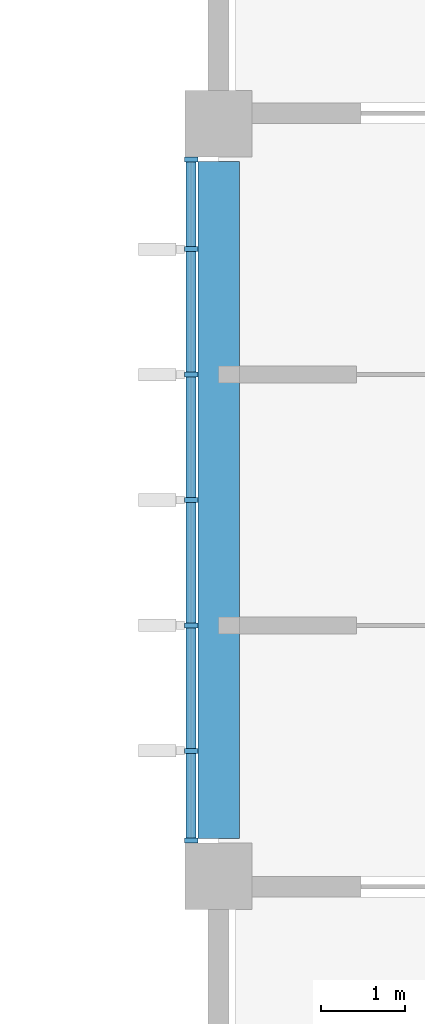
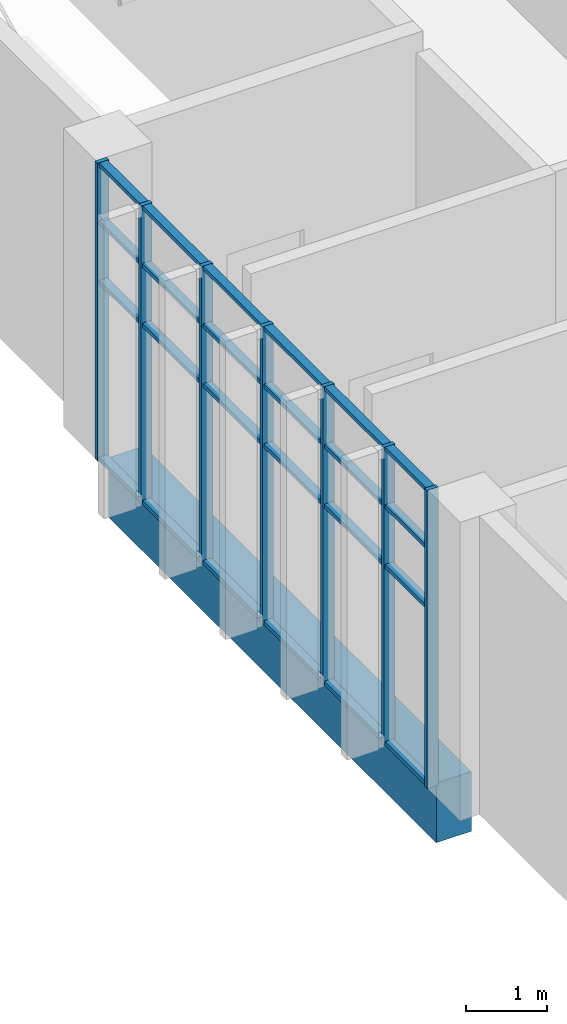
# One storey, part 8 of 40: 31 members, 1 beam, 1 element without a shape of its own.
"""IFC4 building model written with IfcOpenShell, lengths in metres."""

from ifc_helpers import new_model, si_unit, direction, frame, origin, origin_2d, place, context, subcontext, project, spatial, rectangle, extrude, material, layer, layer_set, material_profile, profile_set, type_object, element, aggregate, save


model = new_model("IFC4")

# Units and contexts
model_context = context("Model", 3, precision=1e-05, world=origin(), true_north=direction((0.0, 1.0)))
body_context = subcontext(model_context, "Body", "Model", "MODEL_VIEW")
ifc_project = project(units=[si_unit("LENGTHUNIT", "METRE"), si_unit("AREAUNIT", "SQUARE_METRE"), si_unit("VOLUMEUNIT", "CUBIC_METRE"), si_unit("PLANEANGLEUNIT", "RADIAN"), si_unit("MASSUNIT", "GRAM", prefix="KILO")], contexts=[model_context])

# Site, building, storey
site_placement = place(None, origin())
site = spatial("IfcSite", under=ifc_project, at=site_placement, CompositionType="ELEMENT")
building_placement = place(site_placement, origin())
building = spatial("IfcBuilding", under=site, at=building_placement, Name="Guidao Yard Department Store", CompositionType="ELEMENT")
storey_placement = place(building_placement, frame((0.0, 0.0, 24.0)))
storey = spatial("IfcBuildingStorey", under=building, at=storey_placement, Name="L05", CompositionType="ELEMENT", Elevation=24.0)

# Curtain wall, members
ifc_material_1 = material(Name="Aluminium and glass", Category="aluminium")
ifc_layer = layer(ifc_material_1, 0.159912109375)
ifc_layer_set = layer_set([ifc_layer], Name="Unitised curtain wall CW4 1500 module")
curtain_wall_type = type_object("IfcCurtainWallType", Name="Unitised curtain wall CW4 1500 module", PredefinedType="NOTDEFINED", material=ifc_layer_set)
curtain_wall_placement = place(storey_placement, origin())
curtain_wall = element("IfcCurtainWall", 1, at=curtain_wall_placement, inside=storey, type_object=curtain_wall_type, Name="Unitised curtain wall", PredefinedType="NOTDEFINED")
ifc_material_2 = material(Name="Aluminium 6063-T5", Category="aluminium")
ifc_material_profile_1 = material_profile(ifc_material_2, rectangle(XDim=0.06005859375, YDim=0.159912109375, at=origin_2d()), Name="Mullion M1 60 x 160 aluminium pressure plate")
ifc_profile_set_1 = profile_set([ifc_material_profile_1], Name="Aluminium 6063-T5")
member_type_1 = type_object("IfcMemberType", Name="Mullion M1 60 x 160 aluminium pressure plate", PredefinedType="MULLION", material=ifc_profile_set_1)
member_1_placement = place(storey_placement, frame((125.669921875, 9.429931640625, 0.0), z_axis=(0.0, 0.0, 1.0), x_axis=(0.0, 1.0, 0.0)))
member_1 = element("IfcMember", 2, at=member_1_placement, type_object=member_type_1, Name="CW-OW-L05-05 mullion 1", PredefinedType="MULLION", context=body_context, shape_type="SweptSolid", body=[
    extrude(rectangle(XDim=0.06005859375, YDim=0.159912109375, at=origin_2d()), origin(), (0.0, 0.0, 1.0), 4.5),
])
member_2_placement = place(storey_placement, frame((125.669921875, 10.5, 0.0), z_axis=(0.0, 0.0, 1.0), x_axis=(0.0, 1.0, 0.0)))
member_2 = element("IfcMember", 3, at=member_2_placement, type_object=member_type_1, Name="CW-OW-L05-05 mullion 2", PredefinedType="MULLION", context=body_context, shape_type="SweptSolid", body=[
    extrude(rectangle(XDim=0.06005859375, YDim=0.159912109375, at=origin_2d()), origin(), (0.0, 0.0, 1.0), 4.5),
])
member_3_placement = place(storey_placement, frame((125.669921875, 12.0, 0.0), z_axis=(0.0, 0.0, 1.0), x_axis=(0.0, 1.0, 0.0)))
member_3 = element("IfcMember", 4, at=member_3_placement, type_object=member_type_1, Name="CW-OW-L05-05 mullion 3", PredefinedType="MULLION", context=body_context, shape_type="SweptSolid", body=[
    extrude(rectangle(XDim=0.06005859375, YDim=0.159912109375, at=origin_2d()), origin(), (0.0, 0.0, 1.0), 4.5),
])
member_4_placement = place(storey_placement, frame((125.669921875, 13.5, 0.0), z_axis=(0.0, 0.0, 1.0), x_axis=(0.0, 1.0, 0.0)))
member_4 = element("IfcMember", 5, at=member_4_placement, type_object=member_type_1, Name="CW-OW-L05-05 mullion 4", PredefinedType="MULLION", context=body_context, shape_type="SweptSolid", body=[
    extrude(rectangle(XDim=0.06005859375, YDim=0.159912109375, at=origin_2d()), origin(), (0.0, 0.0, 1.0), 4.5),
])
member_5_placement = place(storey_placement, frame((125.669921875, 15.0, 0.0), z_axis=(0.0, 0.0, 1.0), x_axis=(0.0, 1.0, 0.0)))
member_5 = element("IfcMember", 6, at=member_5_placement, type_object=member_type_1, Name="CW-OW-L05-05 mullion 5", PredefinedType="MULLION", context=body_context, shape_type="SweptSolid", body=[
    extrude(rectangle(XDim=0.06005859375, YDim=0.159912109375, at=origin_2d()), origin(), (0.0, 0.0, 1.0), 4.5),
])
member_6_placement = place(storey_placement, frame((125.669921875, 16.5, 0.0), z_axis=(0.0, 0.0, 1.0), x_axis=(0.0, 1.0, 0.0)))
member_6 = element("IfcMember", 7, at=member_6_placement, type_object=member_type_1, Name="CW-OW-L05-05 mullion 6", PredefinedType="MULLION", context=body_context, shape_type="SweptSolid", body=[
    extrude(rectangle(XDim=0.06005859375, YDim=0.159912109375, at=origin_2d()), origin(), (0.0, 0.0, 1.0), 4.5),
])
member_7_placement = place(storey_placement, frame((125.669921875, 17.570068359375, 0.0), z_axis=(0.0, 0.0, 1.0), x_axis=(0.0, 1.0, 0.0)))
member_7 = element("IfcMember", 8, at=member_7_placement, type_object=member_type_1, Name="CW-OW-L05-05 mullion 7", PredefinedType="MULLION", context=body_context, shape_type="SweptSolid", body=[
    extrude(rectangle(XDim=0.06005859375, YDim=0.159912109375, at=origin_2d()), origin(), (0.0, 0.0, 1.0), 4.5),
])

# Beam
ifc_material_3 = material(Name="Concrete C40", Category="concrete")
ifc_material_profile_2 = material_profile(ifc_material_3, rectangle(XDim=0.5, YDim=0.89990234375, at=origin_2d()), Name="Spandrel beam 500 x 900 C40")
ifc_profile_set_2 = profile_set([ifc_material_profile_2], Name="Concrete C40")
beam_type = type_object("IfcBeamType", Name="Spandrel beam 500 x 900 C40", PredefinedType="SPANDREL", material=ifc_profile_set_2)
beam_placement = place(storey_placement, frame((126.0, 9.449951171875, -0.449951171875), z_axis=(0.0, 1.0, 0.0), x_axis=(-1.0, 0.0, 0.0)))
element("IfcBeam", 9, at=beam_placement, inside=storey, type_object=beam_type, Name="Beam FB04", PredefinedType="SPANDREL", context=body_context, shape_type="SweptSolid", body=[
    extrude(rectangle(XDim=0.5, YDim=0.89990234375, at=origin_2d()), origin(), (0.0, 0.0, 1.0), 8.10009765625),
])

# Member
ifc_material_4 = material(Name="Aluminium 6063-T5", Category="aluminium")
ifc_material_profile_3 = material_profile(ifc_material_4, rectangle(XDim=0.1201171875, YDim=0.06005859375, at=origin_2d()), Name="Transom T1 60 x 120 aluminium pressure plate")
ifc_profile_set_3 = profile_set([ifc_material_profile_3], Name="Aluminium 6063-T5")
member_type_2 = type_object("IfcMemberType", Name="Transom T1 60 x 120 aluminium pressure plate", PredefinedType="USERDEFINED", material=ifc_profile_set_3)
member_8_placement = place(storey_placement, frame((125.669921875, 9.4599609375, 0.030029296875), z_axis=(0.0, 1.0, 0.0), x_axis=(-1.0, 0.0, 0.0)))
member_8 = element("IfcMember", 10, at=member_8_placement, type_object=member_type_2, Name="CW-OW-L05-05 transom 1.1", ObjectType="TRANSOM", PredefinedType="USERDEFINED", context=body_context, shape_type="SweptSolid", body=[
    extrude(rectangle(XDim=0.1201171875, YDim=0.06005859375, at=origin_2d()), origin(), (0.0, 0.0, 1.0), 1.010009765625),
])

member_9_placement = place(storey_placement, frame((125.669921875, 9.4599609375, 2.699951171875), z_axis=(0.0, 1.0, 0.0), x_axis=(-1.0, 0.0, 0.0)))
member_9 = element("IfcMember", 11, at=member_9_placement, type_object=member_type_2, Name="CW-OW-L05-05 transom 1.2", ObjectType="TRANSOM", PredefinedType="USERDEFINED", context=body_context, shape_type="SweptSolid", body=[
    extrude(rectangle(XDim=0.1201171875, YDim=0.06005859375, at=origin_2d()), origin(), (0.0, 0.0, 1.0), 1.010009765625),
])

member_10_placement = place(storey_placement, frame((125.669921875, 9.4599609375, 3.60009765625), z_axis=(0.0, 1.0, 0.0), x_axis=(-1.0, 0.0, 0.0)))
member_10 = element("IfcMember", 12, at=member_10_placement, type_object=member_type_2, Name="CW-OW-L05-05 transom 1.3", ObjectType="TRANSOM", PredefinedType="USERDEFINED", context=body_context, shape_type="SweptSolid", body=[
    extrude(rectangle(XDim=0.1201171875, YDim=0.06005859375, at=origin_2d()), origin(), (0.0, 0.0, 1.0), 1.010009765625),
])

member_11_placement = place(storey_placement, frame((125.669921875, 9.4599609375, 4.469970703125), z_axis=(0.0, 1.0, 0.0), x_axis=(-1.0, 0.0, 0.0)))
member_11 = element("IfcMember", 13, at=member_11_placement, type_object=member_type_2, Name="CW-OW-L05-05 transom 1.4", ObjectType="TRANSOM", PredefinedType="USERDEFINED", context=body_context, shape_type="SweptSolid", body=[
    extrude(rectangle(XDim=0.1201171875, YDim=0.06005859375, at=origin_2d()), origin(), (0.0, 0.0, 1.0), 1.010009765625),
])

member_12_placement = place(storey_placement, frame((125.669921875, 10.530029296875, 0.030029296875), z_axis=(0.0, 1.0, 0.0), x_axis=(-1.0, 0.0, 0.0)))
member_12 = element("IfcMember", 14, at=member_12_placement, type_object=member_type_2, Name="CW-OW-L05-05 transom 2.1", ObjectType="TRANSOM", PredefinedType="USERDEFINED", context=body_context, shape_type="SweptSolid", body=[
    extrude(rectangle(XDim=0.1201171875, YDim=0.06005859375, at=origin_2d()), origin(), (0.0, 0.0, 1.0), 1.43994140625),
])

member_13_placement = place(storey_placement, frame((125.669921875, 10.530029296875, 2.699951171875), z_axis=(0.0, 1.0, 0.0), x_axis=(-1.0, 0.0, 0.0)))
member_13 = element("IfcMember", 15, at=member_13_placement, type_object=member_type_2, Name="CW-OW-L05-05 transom 2.2", ObjectType="TRANSOM", PredefinedType="USERDEFINED", context=body_context, shape_type="SweptSolid", body=[
    extrude(rectangle(XDim=0.1201171875, YDim=0.06005859375, at=origin_2d()), origin(), (0.0, 0.0, 1.0), 1.43994140625),
])

member_14_placement = place(storey_placement, frame((125.669921875, 10.530029296875, 3.60009765625), z_axis=(0.0, 1.0, 0.0), x_axis=(-1.0, 0.0, 0.0)))
member_14 = element("IfcMember", 16, at=member_14_placement, type_object=member_type_2, Name="CW-OW-L05-05 transom 2.3", ObjectType="TRANSOM", PredefinedType="USERDEFINED", context=body_context, shape_type="SweptSolid", body=[
    extrude(rectangle(XDim=0.1201171875, YDim=0.06005859375, at=origin_2d()), origin(), (0.0, 0.0, 1.0), 1.43994140625),
])

member_15_placement = place(storey_placement, frame((125.669921875, 10.530029296875, 4.469970703125), z_axis=(0.0, 1.0, 0.0), x_axis=(-1.0, 0.0, 0.0)))
member_15 = element("IfcMember", 17, at=member_15_placement, type_object=member_type_2, Name="CW-OW-L05-05 transom 2.4", ObjectType="TRANSOM", PredefinedType="USERDEFINED", context=body_context, shape_type="SweptSolid", body=[
    extrude(rectangle(XDim=0.1201171875, YDim=0.06005859375, at=origin_2d()), origin(), (0.0, 0.0, 1.0), 1.43994140625),
])

member_16_placement = place(storey_placement, frame((125.669921875, 12.030029296875, 0.030029296875), z_axis=(0.0, 1.0, 0.0), x_axis=(-1.0, 0.0, 0.0)))
member_16 = element("IfcMember", 18, at=member_16_placement, type_object=member_type_2, Name="CW-OW-L05-05 transom 3.1", ObjectType="TRANSOM", PredefinedType="USERDEFINED", context=body_context, shape_type="SweptSolid", body=[
    extrude(rectangle(XDim=0.1201171875, YDim=0.06005859375, at=origin_2d()), origin(), (0.0, 0.0, 1.0), 1.43994140625),
])

member_17_placement = place(storey_placement, frame((125.669921875, 12.030029296875, 2.699951171875), z_axis=(0.0, 1.0, 0.0), x_axis=(-1.0, 0.0, 0.0)))
member_17 = element("IfcMember", 19, at=member_17_placement, type_object=member_type_2, Name="CW-OW-L05-05 transom 3.2", ObjectType="TRANSOM", PredefinedType="USERDEFINED", context=body_context, shape_type="SweptSolid", body=[
    extrude(rectangle(XDim=0.1201171875, YDim=0.06005859375, at=origin_2d()), origin(), (0.0, 0.0, 1.0), 1.43994140625),
])

member_18_placement = place(storey_placement, frame((125.669921875, 12.030029296875, 3.60009765625), z_axis=(0.0, 1.0, 0.0), x_axis=(-1.0, 0.0, 0.0)))
member_18 = element("IfcMember", 20, at=member_18_placement, type_object=member_type_2, Name="CW-OW-L05-05 transom 3.3", ObjectType="TRANSOM", PredefinedType="USERDEFINED", context=body_context, shape_type="SweptSolid", body=[
    extrude(rectangle(XDim=0.1201171875, YDim=0.06005859375, at=origin_2d()), origin(), (0.0, 0.0, 1.0), 1.43994140625),
])

member_19_placement = place(storey_placement, frame((125.669921875, 12.030029296875, 4.469970703125), z_axis=(0.0, 1.0, 0.0), x_axis=(-1.0, 0.0, 0.0)))
member_19 = element("IfcMember", 21, at=member_19_placement, type_object=member_type_2, Name="CW-OW-L05-05 transom 3.4", ObjectType="TRANSOM", PredefinedType="USERDEFINED", context=body_context, shape_type="SweptSolid", body=[
    extrude(rectangle(XDim=0.1201171875, YDim=0.06005859375, at=origin_2d()), origin(), (0.0, 0.0, 1.0), 1.43994140625),
])

member_20_placement = place(storey_placement, frame((125.669921875, 13.530029296875, 0.030029296875), z_axis=(0.0, 1.0, 0.0), x_axis=(-1.0, 0.0, 0.0)))
member_20 = element("IfcMember", 22, at=member_20_placement, type_object=member_type_2, Name="CW-OW-L05-05 transom 4.1", ObjectType="TRANSOM", PredefinedType="USERDEFINED", context=body_context, shape_type="SweptSolid", body=[
    extrude(rectangle(XDim=0.1201171875, YDim=0.06005859375, at=origin_2d()), origin(), (0.0, 0.0, 1.0), 1.43994140625),
])

member_21_placement = place(storey_placement, frame((125.669921875, 13.530029296875, 2.699951171875), z_axis=(0.0, 1.0, 0.0), x_axis=(-1.0, 0.0, 0.0)))
member_21 = element("IfcMember", 23, at=member_21_placement, type_object=member_type_2, Name="CW-OW-L05-05 transom 4.2", ObjectType="TRANSOM", PredefinedType="USERDEFINED", context=body_context, shape_type="SweptSolid", body=[
    extrude(rectangle(XDim=0.1201171875, YDim=0.06005859375, at=origin_2d()), origin(), (0.0, 0.0, 1.0), 1.43994140625),
])

member_22_placement = place(storey_placement, frame((125.669921875, 13.530029296875, 3.60009765625), z_axis=(0.0, 1.0, 0.0), x_axis=(-1.0, 0.0, 0.0)))
member_22 = element("IfcMember", 24, at=member_22_placement, type_object=member_type_2, Name="CW-OW-L05-05 transom 4.3", ObjectType="TRANSOM", PredefinedType="USERDEFINED", context=body_context, shape_type="SweptSolid", body=[
    extrude(rectangle(XDim=0.1201171875, YDim=0.06005859375, at=origin_2d()), origin(), (0.0, 0.0, 1.0), 1.43994140625),
])

member_23_placement = place(storey_placement, frame((125.669921875, 13.530029296875, 4.469970703125), z_axis=(0.0, 1.0, 0.0), x_axis=(-1.0, 0.0, 0.0)))
member_23 = element("IfcMember", 25, at=member_23_placement, type_object=member_type_2, Name="CW-OW-L05-05 transom 4.4", ObjectType="TRANSOM", PredefinedType="USERDEFINED", context=body_context, shape_type="SweptSolid", body=[
    extrude(rectangle(XDim=0.1201171875, YDim=0.06005859375, at=origin_2d()), origin(), (0.0, 0.0, 1.0), 1.43994140625),
])

member_24_placement = place(storey_placement, frame((125.669921875, 15.030029296875, 0.030029296875), z_axis=(0.0, 1.0, 0.0), x_axis=(-1.0, 0.0, 0.0)))
member_24 = element("IfcMember", 26, at=member_24_placement, type_object=member_type_2, Name="CW-OW-L05-05 transom 5.1", ObjectType="TRANSOM", PredefinedType="USERDEFINED", context=body_context, shape_type="SweptSolid", body=[
    extrude(rectangle(XDim=0.1201171875, YDim=0.06005859375, at=origin_2d()), origin(), (0.0, 0.0, 1.0), 1.43994140625),
])

member_25_placement = place(storey_placement, frame((125.669921875, 15.030029296875, 2.699951171875), z_axis=(0.0, 1.0, 0.0), x_axis=(-1.0, 0.0, 0.0)))
member_25 = element("IfcMember", 27, at=member_25_placement, type_object=member_type_2, Name="CW-OW-L05-05 transom 5.2", ObjectType="TRANSOM", PredefinedType="USERDEFINED", context=body_context, shape_type="SweptSolid", body=[
    extrude(rectangle(XDim=0.1201171875, YDim=0.06005859375, at=origin_2d()), origin(), (0.0, 0.0, 1.0), 1.43994140625),
])

member_26_placement = place(storey_placement, frame((125.669921875, 15.030029296875, 3.60009765625), z_axis=(0.0, 1.0, 0.0), x_axis=(-1.0, 0.0, 0.0)))
member_26 = element("IfcMember", 28, at=member_26_placement, type_object=member_type_2, Name="CW-OW-L05-05 transom 5.3", ObjectType="TRANSOM", PredefinedType="USERDEFINED", context=body_context, shape_type="SweptSolid", body=[
    extrude(rectangle(XDim=0.1201171875, YDim=0.06005859375, at=origin_2d()), origin(), (0.0, 0.0, 1.0), 1.43994140625),
])

member_27_placement = place(storey_placement, frame((125.669921875, 15.030029296875, 4.469970703125), z_axis=(0.0, 1.0, 0.0), x_axis=(-1.0, 0.0, 0.0)))
member_27 = element("IfcMember", 29, at=member_27_placement, type_object=member_type_2, Name="CW-OW-L05-05 transom 5.4", ObjectType="TRANSOM", PredefinedType="USERDEFINED", context=body_context, shape_type="SweptSolid", body=[
    extrude(rectangle(XDim=0.1201171875, YDim=0.06005859375, at=origin_2d()), origin(), (0.0, 0.0, 1.0), 1.43994140625),
])

member_28_placement = place(storey_placement, frame((125.669921875, 16.530029296875, 0.030029296875), z_axis=(0.0, 1.0, 0.0), x_axis=(-1.0, 0.0, 0.0)))
member_28 = element("IfcMember", 30, at=member_28_placement, type_object=member_type_2, Name="CW-OW-L05-05 transom 6.1", ObjectType="TRANSOM", PredefinedType="USERDEFINED", context=body_context, shape_type="SweptSolid", body=[
    extrude(rectangle(XDim=0.1201171875, YDim=0.06005859375, at=origin_2d()), origin(), (0.0, 0.0, 1.0), 1.010009765625),
])

member_29_placement = place(storey_placement, frame((125.669921875, 16.530029296875, 2.699951171875), z_axis=(0.0, 1.0, 0.0), x_axis=(-1.0, 0.0, 0.0)))
member_29 = element("IfcMember", 31, at=member_29_placement, type_object=member_type_2, Name="CW-OW-L05-05 transom 6.2", ObjectType="TRANSOM", PredefinedType="USERDEFINED", context=body_context, shape_type="SweptSolid", body=[
    extrude(rectangle(XDim=0.1201171875, YDim=0.06005859375, at=origin_2d()), origin(), (0.0, 0.0, 1.0), 1.010009765625),
])

member_30_placement = place(storey_placement, frame((125.669921875, 16.530029296875, 3.60009765625), z_axis=(0.0, 1.0, 0.0), x_axis=(-1.0, 0.0, 0.0)))
member_30 = element("IfcMember", 32, at=member_30_placement, type_object=member_type_2, Name="CW-OW-L05-05 transom 6.3", ObjectType="TRANSOM", PredefinedType="USERDEFINED", context=body_context, shape_type="SweptSolid", body=[
    extrude(rectangle(XDim=0.1201171875, YDim=0.06005859375, at=origin_2d()), origin(), (0.0, 0.0, 1.0), 1.010009765625),
])

member_31_placement = place(storey_placement, frame((125.669921875, 16.530029296875, 4.469970703125), z_axis=(0.0, 1.0, 0.0), x_axis=(-1.0, 0.0, 0.0)))
member_31 = element("IfcMember", 33, at=member_31_placement, type_object=member_type_2, Name="CW-OW-L05-05 transom 6.4", ObjectType="TRANSOM", PredefinedType="USERDEFINED", context=body_context, shape_type="SweptSolid", body=[
    extrude(rectangle(XDim=0.1201171875, YDim=0.06005859375, at=origin_2d()), origin(), (0.0, 0.0, 1.0), 1.010009765625),
])

aggregate(curtain_wall, [member_1, member_2, member_3, member_4, member_5, member_6, member_7, member_8, member_9, member_10, member_11, member_12, member_13, member_14, member_15, member_16, member_17, member_18, member_19, member_20, member_21, member_22, member_23, member_24, member_25, member_26, member_27, member_28, member_29, member_30, member_31])

save(model, "model.ifc")
